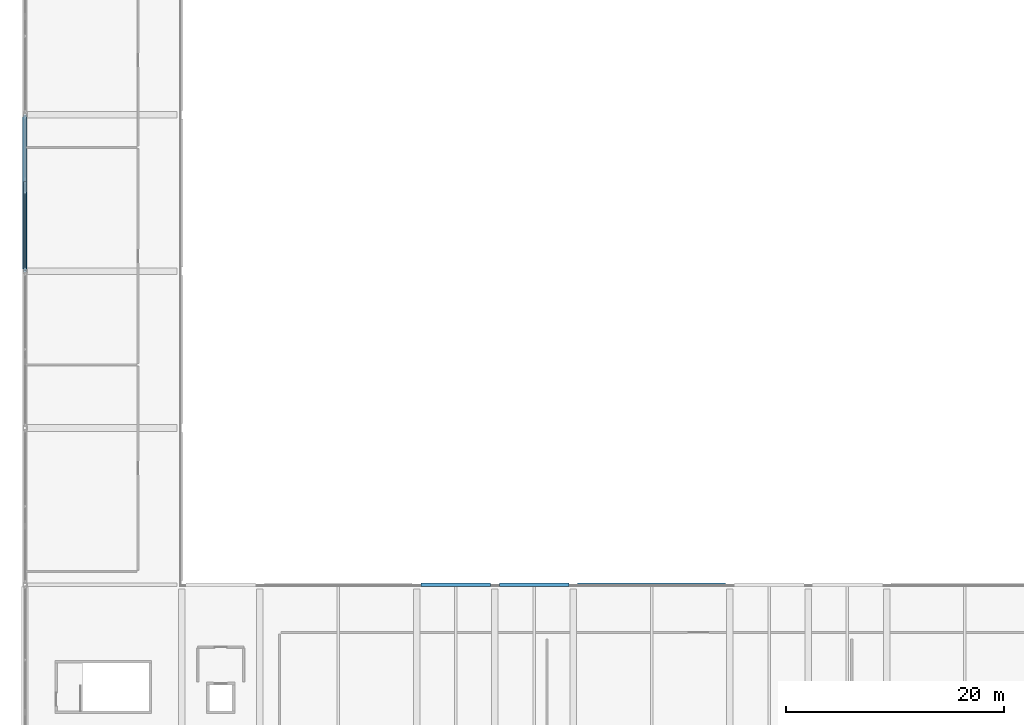
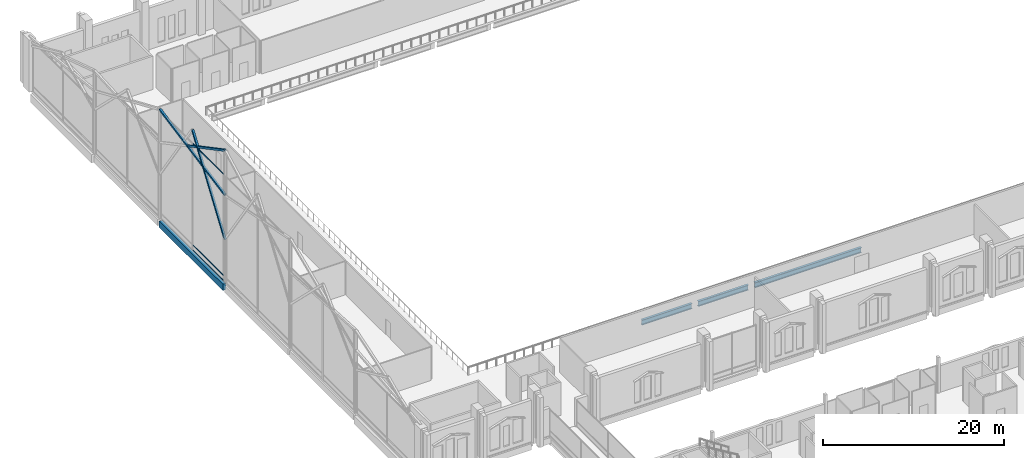
# One storey, part 57 of 220: 6 members, 4 beams, 1 element without a shape of its own.
"""IFC4 building model written with IfcOpenShell, lengths in metres."""

from ifc_helpers import new_model, si_unit, direction, frame, origin, origin_2d, place, context, subcontext, project, spatial, rectangle, hollow_rectangle, i_section, extrude, material, material_profile, profile_set, type_object, element, aggregate, save


model = new_model("IFC4")

# Units and contexts
model_context = context("Model", 3, precision=1e-05, world=origin(), true_north=direction((0.0, 1.0)))
body_context = subcontext(model_context, "Body", "Model", "MODEL_VIEW")
ifc_project = project(units=[si_unit("LENGTHUNIT", "METRE"), si_unit("AREAUNIT", "SQUARE_METRE"), si_unit("VOLUMEUNIT", "CUBIC_METRE"), si_unit("PLANEANGLEUNIT", "RADIAN"), si_unit("MASSUNIT", "GRAM", prefix="KILO")], contexts=[model_context])

# Site, building, storey
site_placement = place(None, origin())
site = spatial("IfcSite", under=ifc_project, at=site_placement, CompositionType="ELEMENT")
building_placement = place(site_placement, origin())
building = spatial("IfcBuilding", under=site, at=building_placement, Name="Cendralis Lancet Convention Centre", CompositionType="ELEMENT")
storey_placement = place(building_placement, frame((0.0, 0.0, 5.39990234375)))
storey = spatial("IfcBuildingStorey", under=building, at=storey_placement, Name="L01", CompositionType="ELEMENT", Elevation=5.39990234375)

# Curtain wall, members
ifc_material_1 = material(Name="Anodised bronze architectural aluminium", Category="aluminium")
curtain_wall_type = type_object("IfcCurtainWallType", Name="ARC-CW-GB02", PredefinedType="USERDEFINED", material=ifc_material_1)
curtain_wall_placement = place(storey_placement, origin())
curtain_wall = element("IfcCurtainWall", 1, at=curtain_wall_placement, inside=storey, type_object=curtain_wall_type, Name="L01 Curtain Wall CW-GB2 #102", ObjectType="CURTAIN WALL", PredefinedType="USERDEFINED")
ifc_material_profile_1 = material_profile(ifc_material_1, hollow_rectangle(XDim=0.070068359375, YDim=0.139892578125, WallThickness=0.00390625, at=origin_2d()), Name="AL-TRAN 70x140x4.0")
ifc_profile_set_1 = profile_set([ifc_material_profile_1], Name="Anodised bronze architectural aluminium")
member_type_1 = type_object("IfcMemberType", Name="ARC-CW-TR02", PredefinedType="USERDEFINED", material=ifc_profile_set_1)
member_1_placement = place(storey_placement, frame((0.0, 93.90771484375, 0.070068359375), z_axis=(0.0, 1.0, 0.0), x_axis=(-1.0, 0.0, 0.0)))
member_1 = element("IfcMember", 2, at=member_1_placement, type_object=member_type_1, Name="Transom CW2-CW-GB2-L01-102-T0BOT", ObjectType="TRANSOM", PredefinedType="USERDEFINED", context=body_context, shape_type="SweptSolid", body=[
    extrude(hollow_rectangle(XDim=0.070068359375, YDim=0.139892578125, WallThickness=0.00390625, at=origin_2d()), origin(), (0.0, 0.0, 1.0), 6.812255859375),
])
member_2_placement = place(storey_placement, frame((0.0, 93.90771484375, 0.75), z_axis=(0.0, 1.0, 0.0), x_axis=(-1.0, 0.0, 0.0)))
member_2 = element("IfcMember", 3, at=member_2_placement, type_object=member_type_1, Name="Transom CW2-CW-GB2-L01-102-T0MID", ObjectType="TRANSOM", PredefinedType="USERDEFINED", context=body_context, shape_type="SweptSolid", body=[
    extrude(hollow_rectangle(XDim=0.070068359375, YDim=0.139892578125, WallThickness=0.00390625, at=origin_2d()), origin(), (0.0, 0.0, 1.0), 6.812255859375),
])
member_3_placement = place(storey_placement, frame((0.0, 93.90771484375, 14.385986328125), z_axis=(0.0, 1.0, 0.0), x_axis=(-1.0, 0.0, 0.0)))
member_3 = element("IfcMember", 4, at=member_3_placement, type_object=member_type_1, Name="Transom CW2-CW-GB2-L01-102-T0TOP", ObjectType="TRANSOM", PredefinedType="USERDEFINED", context=body_context, shape_type="SweptSolid", body=[
    extrude(hollow_rectangle(XDim=0.070068359375, YDim=0.139892578125, WallThickness=0.00390625, at=origin_2d()), origin(), (0.0, 0.0, 1.0), 6.812255859375),
])
aggregate(curtain_wall, [member_1, member_2, member_3])

# Beams
ifc_material_2 = material(Name="Steel S355", Category="steel")
ifc_material_profile_2 = material_profile(ifc_material_2, i_section(OverallWidth=0.300048828125, OverallDepth=0.68994140625, WebThickness=0.014404296875, FlangeThickness=0.027099609375, FilletRadius=0.027099609375, at=origin_2d()), Name="HEA 700")
ifc_profile_set_2 = profile_set([ifc_material_profile_2], Name="Steel S355")
beam_type_1 = type_object("IfcBeamType", Name="STR-BM-SG08", PredefinedType="BEAM", material=ifc_profile_set_2)
beam_1_placement = place(storey_placement, frame((36.39990234375, 64.800048828125, -0.625), z_axis=(1.0, 0.0, 0.0), x_axis=(0.0, 1.0, 0.0)))
element("IfcBeam", 5, at=beam_1_placement, inside=storey, type_object=beam_type_1, Name="L01 Beam SG08 #1199", PredefinedType="BEAM", context=body_context, shape_type="SweptSolid", body=[
    extrude(i_section(OverallWidth=0.300048828125, OverallDepth=0.68994140625, WebThickness=0.014404296875, FlangeThickness=0.027099609375, FilletRadius=0.027099609375, at=origin_2d()), origin(), (0.0, 0.0, 1.0), 6.400146484375),
])
beam_2_placement = place(storey_placement, frame((43.60009765625, 64.800048828125, -0.625), z_axis=(1.0, 0.0, 0.0), x_axis=(0.0, 1.0, 0.0)))
element("IfcBeam", 6, at=beam_2_placement, inside=storey, type_object=beam_type_1, Name="L01 Beam SG08 #1201", PredefinedType="BEAM", context=body_context, shape_type="SweptSolid", body=[
    extrude(i_section(OverallWidth=0.300048828125, OverallDepth=0.68994140625, WebThickness=0.014404296875, FlangeThickness=0.027099609375, FilletRadius=0.027099609375, at=origin_2d()), origin(), (0.0, 0.0, 1.0), 6.39990234375),
])
beam_3_placement = place(storey_placement, frame((50.800048828125, 64.800048828125, -0.625), z_axis=(1.0, 0.0, 0.0), x_axis=(0.0, 1.0, 0.0)))
element("IfcBeam", 7, at=beam_3_placement, inside=storey, type_object=beam_type_1, Name="L01 Beam SG08 #1203", PredefinedType="BEAM", context=body_context, shape_type="SweptSolid", body=[
    extrude(i_section(OverallWidth=0.300048828125, OverallDepth=0.68994140625, WebThickness=0.014404296875, FlangeThickness=0.027099609375, FilletRadius=0.027099609375, at=origin_2d()), origin(), (0.0, 0.0, 1.0), 13.599853515625),
])

# Members
ifc_material_profile_3 = material_profile(ifc_material_2, hollow_rectangle(XDim=0.25, YDim=0.25, WallThickness=0.012451171875, at=origin_2d()), Name="SHS 250x250x12.5")
ifc_profile_set_3 = profile_set([ifc_material_profile_3], Name="Steel S355")
member_type_2 = type_object("IfcMemberType", Name="STR-BR-GB01", PredefinedType="BRACE", material=ifc_profile_set_3)
member_4_placement = place(storey_placement, frame((0.0, 93.60009765625, 5.800048828125), z_axis=(0.0, 0.567480667836, 0.823386720583), x_axis=(-1.0, 0.0, 0.0)))
element("IfcMember", 8, at=member_4_placement, inside=storey, type_object=member_type_2, Name="Exhibition Gable Gothic Ogival Tracery Rib GBR1 #016", PredefinedType="BRACE", context=body_context, shape_type="SweptSolid", body=[
    extrude(hollow_rectangle(XDim=0.25, YDim=0.25, WallThickness=0.012451171875, at=origin_2d()), origin(), (0.0, 0.0, 1.0), 12.6875),
])
member_5_placement = place(storey_placement, frame((0.0, 93.60009765625, 11.81201171875), z_axis=(0.0, 0.981689291491, 0.190489199097), x_axis=(-1.0, 0.0, 0.0)))
element("IfcMember", 9, at=member_5_placement, inside=storey, type_object=member_type_2, Name="Exhibition Gable Gothic Ogival Tracery Rib GBR1 #018", PredefinedType="BRACE", context=body_context, shape_type="SweptSolid", body=[
    extrude(hollow_rectangle(XDim=0.25, YDim=0.25, WallThickness=0.012451171875, at=origin_2d()), origin(), (0.0, 0.0, 1.0), 14.66845703125),
])
member_6_placement = place(storey_placement, frame((0.0, 101.783935546875, 13.49267578125), z_axis=(0.0, -0.883836012973, 0.467796859943), x_axis=(1.0, 0.0, 0.0)))
element("IfcMember", 10, at=member_6_placement, inside=storey, type_object=member_type_2, Name="Exhibition Gable Split X-Brace Rib GBR1 #020", PredefinedType="BRACE", context=body_context, shape_type="SweptSolid", body=[
    extrude(hollow_rectangle(XDim=0.25, YDim=0.25, WallThickness=0.012451171875, at=origin_2d()), origin(), (0.0, 0.0, 1.0), 9.259521484375),
])

# Beam
ifc_material_3 = material(Name="Concrete G40 (C40/50)", Category="concrete")
ifc_material_profile_4 = material_profile(ifc_material_3, rectangle(XDim=0.39990234375, YDim=0.85009765625, at=origin_2d()), Name="RCB 400x850")
ifc_profile_set_4 = profile_set([ifc_material_profile_4], Name="Concrete G40 (C40/50)")
beam_type_2 = type_object("IfcBeamType", Name="STR-SP-SP02", PredefinedType="SPANDREL", material=ifc_profile_set_4)
beam_4_placement = place(storey_placement, frame((0.0, 93.77783203125, -0.704833984375), z_axis=(0.0, 1.0, 0.0), x_axis=(-1.0, 0.0, 0.0)))
element("IfcBeam", 11, at=beam_4_placement, inside=storey, type_object=beam_type_2, Name="L01 Beam SP02 #1281", PredefinedType="SPANDREL", context=body_context, shape_type="SweptSolid", body=[
    extrude(rectangle(XDim=0.39990234375, YDim=0.85009765625, at=origin_2d()), origin(), (0.0, 0.0, 1.0), 14.04443359375),
])

save(model, "model.ifc")
